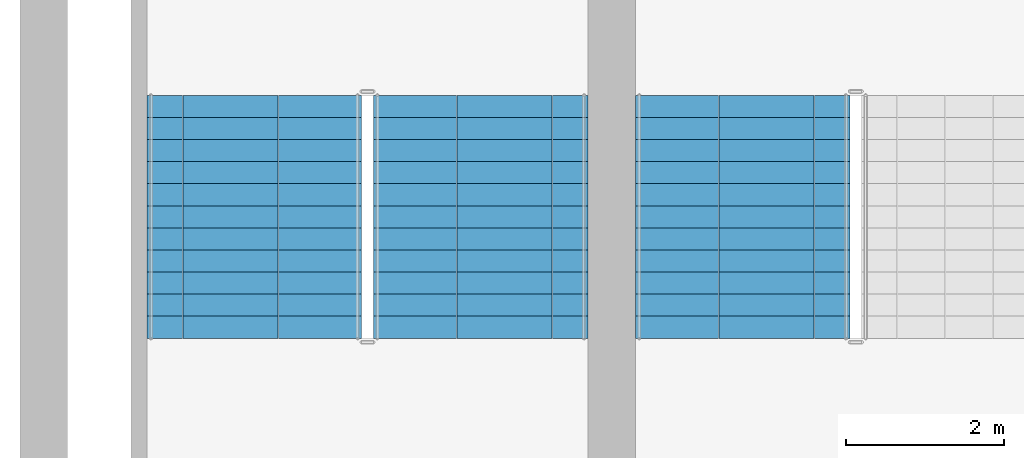
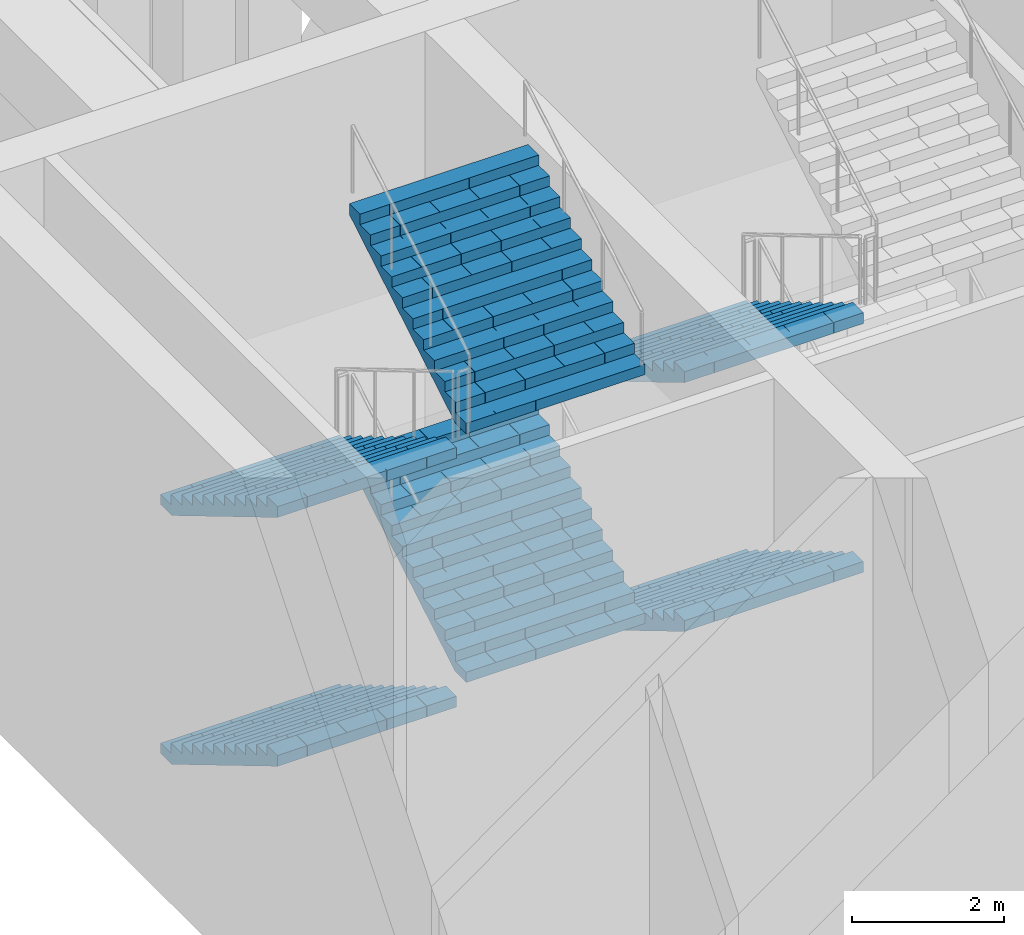
# One storey, part 12 of 20: 6 stair flights, 2 elements without a shape of their own.
"""IFC4 building model written with IfcOpenShell, lengths in metres."""

from ifc_helpers import new_model, si_unit, direction, frame, origin, place, context, subcontext, project, spatial, polyline, outline, extrude, material, type_object, element, aggregate, save


model = new_model("IFC4")

# Units and contexts
model_context = context("Model", 3, precision=1e-05, world=origin(), true_north=direction((0.0, 1.0)))
body_context = subcontext(model_context, "Body", "Model", "MODEL_VIEW")
ifc_project = project(units=[si_unit("LENGTHUNIT", "METRE"), si_unit("AREAUNIT", "SQUARE_METRE"), si_unit("VOLUMEUNIT", "CUBIC_METRE"), si_unit("PLANEANGLEUNIT", "RADIAN"), si_unit("MASSUNIT", "GRAM", prefix="KILO")], contexts=[model_context])

# Site, building, storey
site_placement = place(None, origin())
site = spatial("IfcSite", under=ifc_project, at=site_placement, CompositionType="ELEMENT")
building_placement = place(site_placement, origin())
building = spatial("IfcBuilding", under=site, at=building_placement, Name="Corbelhall Arena Tower", CompositionType="ELEMENT")
storey_placement = place(building_placement, frame((0.0, 0.0, 44.0)))
storey = spatial("IfcBuildingStorey", under=building, at=storey_placement, Name="L06", CompositionType="ELEMENT", Elevation=44.0)

# Stair, stair flights
ifc_material = material(Name="Reinforced concrete C40/50", Category="concrete")
stair_type = type_object("IfcStairType", Name="AR-EXIT-STAIR", PredefinedType="HALF_TURN_STAIR", material=ifc_material)
stair_1_placement = place(storey_placement, origin())
stair_1 = element("IfcStair", 1, at=stair_1_placement, inside=storey, type_object=stair_type, Name="L06 exit stair AS7", PredefinedType="HALF_TURN_STAIR")
stair_flight_type = type_object("IfcStairFlightType", Name="AR-EXIT-FLIGHT", PredefinedType="STRAIGHT", material=ifc_material)
stair_flight_1_placement = place(storey_placement, frame((-38.840087890625, -27.320068359375, 0.0), z_axis=(0.0, 0.0, 1.0), x_axis=(0.0, -1.0, 0.0)))
stair_flight_1 = element("IfcStairFlight", 2, at=stair_flight_1_placement, type_object=stair_flight_type, Name="AS7 flight 1", NumberOfRisers=12, NumberOfTreads=11, PredefinedType="STRAIGHT", RiserHeight=0.166666667, TreadLength=0.28, context=body_context, shape_type="SweptSolid", body=[
    extrude(outline(polyline([(0.0, 0.0), (0.0, 0.166748046875), (0.280029296875, 0.166748046875), (0.280029296875, 0.333251953125), (0.56005859375, 0.333251953125), (0.56005859375, 0.5), (0.840087890625, 0.5), (0.840087890625, 0.666748046875), (1.1201171875, 0.666748046875), (1.1201171875, 0.833251953125), (1.39990234375, 0.833251953125), (1.39990234375, 1.0), (1.679931640625, 1.0), (1.679931640625, 1.166748046875), (1.9599609375, 1.166748046875), (1.9599609375, 1.333251953125), (2.239990234375, 1.333251953125), (2.239990234375, 1.5), (2.52001953125, 1.5), (2.52001953125, 1.666748046875), (2.800048828125, 1.666748046875), (2.800048828125, 1.833251953125), (3.080078125, 1.833251953125), (3.080078125, 2.0), (3.080078125, 1.658935546875), (0.29296875, 0.0), (0.0, 0.0)])), frame((0.0, 1.35986328125, 0.0), z_axis=(0.0, -1.0, 0.0), x_axis=(1.0, 0.0, 0.0)), (0.0, 0.0, 1.0), 0.449951171875),
    extrude(outline(polyline([(0.0, 0.0), (0.0, 0.166748046875), (0.280029296875, 0.166748046875), (0.280029296875, 0.333251953125), (0.56005859375, 0.333251953125), (0.56005859375, 0.5), (0.840087890625, 0.5), (0.840087890625, 0.666748046875), (1.1201171875, 0.666748046875), (1.1201171875, 0.833251953125), (1.39990234375, 0.833251953125), (1.39990234375, 1.0), (1.679931640625, 1.0), (1.679931640625, 1.166748046875), (1.9599609375, 1.166748046875), (1.9599609375, 1.333251953125), (2.239990234375, 1.333251953125), (2.239990234375, 1.5), (2.52001953125, 1.5), (2.52001953125, 1.666748046875), (2.800048828125, 1.666748046875), (2.800048828125, 1.833251953125), (3.080078125, 1.833251953125), (3.080078125, 2.0), (3.080078125, 1.658935546875), (0.29296875, 0.0), (0.0, 0.0)])), frame((0.0, 0.906005859375, 0.0), z_axis=(0.0, -1.0, 0.0), x_axis=(1.0, 0.0, 0.0)), (0.0, 0.0, 1.0), 0.601318359375),
    extrude(outline(polyline([(0.0, 0.0), (0.0, 0.166748046875), (0.280029296875, 0.166748046875), (0.280029296875, 0.333251953125), (0.56005859375, 0.333251953125), (0.56005859375, 0.5), (0.840087890625, 0.5), (0.840087890625, 0.666748046875), (1.1201171875, 0.666748046875), (1.1201171875, 0.833251953125), (1.39990234375, 0.833251953125), (1.39990234375, 1.0), (1.679931640625, 1.0), (1.679931640625, 1.166748046875), (1.9599609375, 1.166748046875), (1.9599609375, 1.333251953125), (2.239990234375, 1.333251953125), (2.239990234375, 1.5), (2.52001953125, 1.5), (2.52001953125, 1.666748046875), (2.800048828125, 1.666748046875), (2.800048828125, 1.833251953125), (3.080078125, 1.833251953125), (3.080078125, 2.0), (3.080078125, 1.658935546875), (0.29296875, 0.0), (0.0, 0.0)])), frame((0.0, 0.30078125, 0.0), z_axis=(0.0, -1.0, 0.0), x_axis=(1.0, 0.0, 0.0)), (0.0, 0.0, 1.0), 0.601318359375),
    extrude(outline(polyline([(0.0, 0.0), (0.0, 0.166748046875), (0.280029296875, 0.166748046875), (0.280029296875, 0.333251953125), (0.56005859375, 0.333251953125), (0.56005859375, 0.5), (0.840087890625, 0.5), (0.840087890625, 0.666748046875), (1.1201171875, 0.666748046875), (1.1201171875, 0.833251953125), (1.39990234375, 0.833251953125), (1.39990234375, 1.0), (1.679931640625, 1.0), (1.679931640625, 1.166748046875), (1.9599609375, 1.166748046875), (1.9599609375, 1.333251953125), (2.239990234375, 1.333251953125), (2.239990234375, 1.5), (2.52001953125, 1.5), (2.52001953125, 1.666748046875), (2.800048828125, 1.666748046875), (2.800048828125, 1.833251953125), (3.080078125, 1.833251953125), (3.080078125, 2.0), (3.080078125, 1.658935546875), (0.29296875, 0.0), (0.0, 0.0)])), frame((0.0, -0.3046875, 0.0), z_axis=(0.0, -1.0, 0.0), x_axis=(1.0, 0.0, 0.0)), (0.0, 0.0, 1.0), 0.601318359375),
    extrude(outline(polyline([(0.0, 0.0), (0.0, 0.166748046875), (0.280029296875, 0.166748046875), (0.280029296875, 0.333251953125), (0.56005859375, 0.333251953125), (0.56005859375, 0.5), (0.840087890625, 0.5), (0.840087890625, 0.666748046875), (1.1201171875, 0.666748046875), (1.1201171875, 0.833251953125), (1.39990234375, 0.833251953125), (1.39990234375, 1.0), (1.679931640625, 1.0), (1.679931640625, 1.166748046875), (1.9599609375, 1.166748046875), (1.9599609375, 1.333251953125), (2.239990234375, 1.333251953125), (2.239990234375, 1.5), (2.52001953125, 1.5), (2.52001953125, 1.666748046875), (2.800048828125, 1.666748046875), (2.800048828125, 1.833251953125), (3.080078125, 1.833251953125), (3.080078125, 2.0), (3.080078125, 1.658935546875), (0.29296875, 0.0), (0.0, 0.0)])), frame((0.0, -0.909912109375, 0.0), z_axis=(0.0, -1.0, 0.0), x_axis=(1.0, 0.0, 0.0)), (0.0, 0.0, 1.0), 0.449951171875),
])
stair_flight_2_placement = place(storey_placement, frame((-38.840087890625, -27.320068359375, 4.0), z_axis=(0.0, 0.0, 1.0), x_axis=(0.0, -1.0, 0.0)))
stair_flight_2 = element("IfcStairFlight", 3, at=stair_flight_2_placement, type_object=stair_flight_type, Name="AS7 flight 3", NumberOfRisers=12, NumberOfTreads=11, PredefinedType="STRAIGHT", RiserHeight=0.166666667, TreadLength=0.28, context=body_context, shape_type="SweptSolid", body=[
    extrude(outline(polyline([(0.0, 0.0), (0.0, 0.166748046875), (0.280029296875, 0.166748046875), (0.280029296875, 0.333251953125), (0.56005859375, 0.333251953125), (0.56005859375, 0.5), (0.840087890625, 0.5), (0.840087890625, 0.666748046875), (1.1201171875, 0.666748046875), (1.1201171875, 0.833251953125), (1.39990234375, 0.833251953125), (1.39990234375, 1.0), (1.679931640625, 1.0), (1.679931640625, 1.166748046875), (1.9599609375, 1.166748046875), (1.9599609375, 1.333251953125), (2.239990234375, 1.333251953125), (2.239990234375, 1.5), (2.52001953125, 1.5), (2.52001953125, 1.666748046875), (2.800048828125, 1.666748046875), (2.800048828125, 1.833251953125), (3.080078125, 1.833251953125), (3.080078125, 2.0), (3.080078125, 1.658935546875), (0.29296875, 0.0), (0.0, 0.0)])), frame((0.0, 1.35986328125, 0.0), z_axis=(0.0, -1.0, 0.0), x_axis=(1.0, 0.0, 0.0)), (0.0, 0.0, 1.0), 0.449951171875),
    extrude(outline(polyline([(0.0, 0.0), (0.0, 0.166748046875), (0.280029296875, 0.166748046875), (0.280029296875, 0.333251953125), (0.56005859375, 0.333251953125), (0.56005859375, 0.5), (0.840087890625, 0.5), (0.840087890625, 0.666748046875), (1.1201171875, 0.666748046875), (1.1201171875, 0.833251953125), (1.39990234375, 0.833251953125), (1.39990234375, 1.0), (1.679931640625, 1.0), (1.679931640625, 1.166748046875), (1.9599609375, 1.166748046875), (1.9599609375, 1.333251953125), (2.239990234375, 1.333251953125), (2.239990234375, 1.5), (2.52001953125, 1.5), (2.52001953125, 1.666748046875), (2.800048828125, 1.666748046875), (2.800048828125, 1.833251953125), (3.080078125, 1.833251953125), (3.080078125, 2.0), (3.080078125, 1.658935546875), (0.29296875, 0.0), (0.0, 0.0)])), frame((0.0, 0.906005859375, 0.0), z_axis=(0.0, -1.0, 0.0), x_axis=(1.0, 0.0, 0.0)), (0.0, 0.0, 1.0), 0.601318359375),
    extrude(outline(polyline([(0.0, 0.0), (0.0, 0.166748046875), (0.280029296875, 0.166748046875), (0.280029296875, 0.333251953125), (0.56005859375, 0.333251953125), (0.56005859375, 0.5), (0.840087890625, 0.5), (0.840087890625, 0.666748046875), (1.1201171875, 0.666748046875), (1.1201171875, 0.833251953125), (1.39990234375, 0.833251953125), (1.39990234375, 1.0), (1.679931640625, 1.0), (1.679931640625, 1.166748046875), (1.9599609375, 1.166748046875), (1.9599609375, 1.333251953125), (2.239990234375, 1.333251953125), (2.239990234375, 1.5), (2.52001953125, 1.5), (2.52001953125, 1.666748046875), (2.800048828125, 1.666748046875), (2.800048828125, 1.833251953125), (3.080078125, 1.833251953125), (3.080078125, 2.0), (3.080078125, 1.658935546875), (0.29296875, 0.0), (0.0, 0.0)])), frame((0.0, 0.30078125, 0.0), z_axis=(0.0, -1.0, 0.0), x_axis=(1.0, 0.0, 0.0)), (0.0, 0.0, 1.0), 0.601318359375),
    extrude(outline(polyline([(0.0, 0.0), (0.0, 0.166748046875), (0.280029296875, 0.166748046875), (0.280029296875, 0.333251953125), (0.56005859375, 0.333251953125), (0.56005859375, 0.5), (0.840087890625, 0.5), (0.840087890625, 0.666748046875), (1.1201171875, 0.666748046875), (1.1201171875, 0.833251953125), (1.39990234375, 0.833251953125), (1.39990234375, 1.0), (1.679931640625, 1.0), (1.679931640625, 1.166748046875), (1.9599609375, 1.166748046875), (1.9599609375, 1.333251953125), (2.239990234375, 1.333251953125), (2.239990234375, 1.5), (2.52001953125, 1.5), (2.52001953125, 1.666748046875), (2.800048828125, 1.666748046875), (2.800048828125, 1.833251953125), (3.080078125, 1.833251953125), (3.080078125, 2.0), (3.080078125, 1.658935546875), (0.29296875, 0.0), (0.0, 0.0)])), frame((0.0, -0.3046875, 0.0), z_axis=(0.0, -1.0, 0.0), x_axis=(1.0, 0.0, 0.0)), (0.0, 0.0, 1.0), 0.601318359375),
    extrude(outline(polyline([(0.0, 0.0), (0.0, 0.166748046875), (0.280029296875, 0.166748046875), (0.280029296875, 0.333251953125), (0.56005859375, 0.333251953125), (0.56005859375, 0.5), (0.840087890625, 0.5), (0.840087890625, 0.666748046875), (1.1201171875, 0.666748046875), (1.1201171875, 0.833251953125), (1.39990234375, 0.833251953125), (1.39990234375, 1.0), (1.679931640625, 1.0), (1.679931640625, 1.166748046875), (1.9599609375, 1.166748046875), (1.9599609375, 1.333251953125), (2.239990234375, 1.333251953125), (2.239990234375, 1.5), (2.52001953125, 1.5), (2.52001953125, 1.666748046875), (2.800048828125, 1.666748046875), (2.800048828125, 1.833251953125), (3.080078125, 1.833251953125), (3.080078125, 2.0), (3.080078125, 1.658935546875), (0.29296875, 0.0), (0.0, 0.0)])), frame((0.0, -0.909912109375, 0.0), z_axis=(0.0, -1.0, 0.0), x_axis=(1.0, 0.0, 0.0)), (0.0, 0.0, 1.0), 0.449951171875),
])
aggregate(stair_1, [stair_flight_1, stair_flight_2])

stair_2_placement = place(storey_placement, origin())
stair_2 = element("IfcStair", 4, at=stair_2_placement, inside=storey, type_object=stair_type, Name="L06 exit stair AS8", PredefinedType="HALF_TURN_STAIR")
stair_flight_3_placement = place(storey_placement, frame((-45.030029296875, -27.320068359375, 0.0), z_axis=(0.0, 0.0, 1.0), x_axis=(0.0, -1.0, 0.0)))
stair_flight_3 = element("IfcStairFlight", 5, at=stair_flight_3_placement, type_object=stair_flight_type, Name="AS8 flight 1", NumberOfRisers=12, NumberOfTreads=11, PredefinedType="STRAIGHT", RiserHeight=0.166666667, TreadLength=0.28, context=body_context, shape_type="SweptSolid", body=[
    extrude(outline(polyline([(0.0, 0.0), (0.0, 0.166748046875), (0.280029296875, 0.166748046875), (0.280029296875, 0.333251953125), (0.56005859375, 0.333251953125), (0.56005859375, 0.5), (0.840087890625, 0.5), (0.840087890625, 0.666748046875), (1.1201171875, 0.666748046875), (1.1201171875, 0.833251953125), (1.39990234375, 0.833251953125), (1.39990234375, 1.0), (1.679931640625, 1.0), (1.679931640625, 1.166748046875), (1.9599609375, 1.166748046875), (1.9599609375, 1.333251953125), (2.239990234375, 1.333251953125), (2.239990234375, 1.5), (2.52001953125, 1.5), (2.52001953125, 1.666748046875), (2.800048828125, 1.666748046875), (2.800048828125, 1.833251953125), (3.080078125, 1.833251953125), (3.080078125, 2.0), (3.080078125, 1.658935546875), (0.29296875, 0.0), (0.0, 0.0)])), frame((0.0, 1.35986328125, 0.0), z_axis=(0.0, -1.0, 0.0), x_axis=(1.0, 0.0, 0.0)), (0.0, 0.0, 1.0), 0.449951171875),
    extrude(outline(polyline([(0.0, 0.0), (0.0, 0.166748046875), (0.280029296875, 0.166748046875), (0.280029296875, 0.333251953125), (0.56005859375, 0.333251953125), (0.56005859375, 0.5), (0.840087890625, 0.5), (0.840087890625, 0.666748046875), (1.1201171875, 0.666748046875), (1.1201171875, 0.833251953125), (1.39990234375, 0.833251953125), (1.39990234375, 1.0), (1.679931640625, 1.0), (1.679931640625, 1.166748046875), (1.9599609375, 1.166748046875), (1.9599609375, 1.333251953125), (2.239990234375, 1.333251953125), (2.239990234375, 1.5), (2.52001953125, 1.5), (2.52001953125, 1.666748046875), (2.800048828125, 1.666748046875), (2.800048828125, 1.833251953125), (3.080078125, 1.833251953125), (3.080078125, 2.0), (3.080078125, 1.658935546875), (0.29296875, 0.0), (0.0, 0.0)])), frame((0.0, 0.906005859375, 0.0), z_axis=(0.0, -1.0, 0.0), x_axis=(1.0, 0.0, 0.0)), (0.0, 0.0, 1.0), 0.601318359375),
    extrude(outline(polyline([(0.0, 0.0), (0.0, 0.166748046875), (0.280029296875, 0.166748046875), (0.280029296875, 0.333251953125), (0.56005859375, 0.333251953125), (0.56005859375, 0.5), (0.840087890625, 0.5), (0.840087890625, 0.666748046875), (1.1201171875, 0.666748046875), (1.1201171875, 0.833251953125), (1.39990234375, 0.833251953125), (1.39990234375, 1.0), (1.679931640625, 1.0), (1.679931640625, 1.166748046875), (1.9599609375, 1.166748046875), (1.9599609375, 1.333251953125), (2.239990234375, 1.333251953125), (2.239990234375, 1.5), (2.52001953125, 1.5), (2.52001953125, 1.666748046875), (2.800048828125, 1.666748046875), (2.800048828125, 1.833251953125), (3.080078125, 1.833251953125), (3.080078125, 2.0), (3.080078125, 1.658935546875), (0.29296875, 0.0), (0.0, 0.0)])), frame((0.0, 0.30078125, 0.0), z_axis=(0.0, -1.0, 0.0), x_axis=(1.0, 0.0, 0.0)), (0.0, 0.0, 1.0), 0.601318359375),
    extrude(outline(polyline([(0.0, 0.0), (0.0, 0.166748046875), (0.280029296875, 0.166748046875), (0.280029296875, 0.333251953125), (0.56005859375, 0.333251953125), (0.56005859375, 0.5), (0.840087890625, 0.5), (0.840087890625, 0.666748046875), (1.1201171875, 0.666748046875), (1.1201171875, 0.833251953125), (1.39990234375, 0.833251953125), (1.39990234375, 1.0), (1.679931640625, 1.0), (1.679931640625, 1.166748046875), (1.9599609375, 1.166748046875), (1.9599609375, 1.333251953125), (2.239990234375, 1.333251953125), (2.239990234375, 1.5), (2.52001953125, 1.5), (2.52001953125, 1.666748046875), (2.800048828125, 1.666748046875), (2.800048828125, 1.833251953125), (3.080078125, 1.833251953125), (3.080078125, 2.0), (3.080078125, 1.658935546875), (0.29296875, 0.0), (0.0, 0.0)])), frame((0.0, -0.3046875, 0.0), z_axis=(0.0, -1.0, 0.0), x_axis=(1.0, 0.0, 0.0)), (0.0, 0.0, 1.0), 0.601318359375),
    extrude(outline(polyline([(0.0, 0.0), (0.0, 0.166748046875), (0.280029296875, 0.166748046875), (0.280029296875, 0.333251953125), (0.56005859375, 0.333251953125), (0.56005859375, 0.5), (0.840087890625, 0.5), (0.840087890625, 0.666748046875), (1.1201171875, 0.666748046875), (1.1201171875, 0.833251953125), (1.39990234375, 0.833251953125), (1.39990234375, 1.0), (1.679931640625, 1.0), (1.679931640625, 1.166748046875), (1.9599609375, 1.166748046875), (1.9599609375, 1.333251953125), (2.239990234375, 1.333251953125), (2.239990234375, 1.5), (2.52001953125, 1.5), (2.52001953125, 1.666748046875), (2.800048828125, 1.666748046875), (2.800048828125, 1.833251953125), (3.080078125, 1.833251953125), (3.080078125, 2.0), (3.080078125, 1.658935546875), (0.29296875, 0.0), (0.0, 0.0)])), frame((0.0, -0.909912109375, 0.0), z_axis=(0.0, -1.0, 0.0), x_axis=(1.0, 0.0, 0.0)), (0.0, 0.0, 1.0), 0.449951171875),
])
stair_flight_4_placement = place(storey_placement, frame((-42.159912109375, -30.39990234375, 2.0), z_axis=(0.0, 0.0, 1.0), x_axis=(0.0, 1.0, 0.0)))
stair_flight_4 = element("IfcStairFlight", 6, at=stair_flight_4_placement, type_object=stair_flight_type, Name="AS8 flight 2", NumberOfRisers=12, NumberOfTreads=11, PredefinedType="STRAIGHT", RiserHeight=0.166666667, TreadLength=0.28, context=body_context, shape_type="SweptSolid", body=[
    extrude(outline(polyline([(0.0, 0.0), (0.0, 0.166748046875), (0.280029296875, 0.166748046875), (0.280029296875, 0.333251953125), (0.56005859375, 0.333251953125), (0.56005859375, 0.5), (0.840087890625, 0.5), (0.840087890625, 0.666748046875), (1.1201171875, 0.666748046875), (1.1201171875, 0.833251953125), (1.39990234375, 0.833251953125), (1.39990234375, 1.0), (1.679931640625, 1.0), (1.679931640625, 1.166748046875), (1.9599609375, 1.166748046875), (1.9599609375, 1.333251953125), (2.239990234375, 1.333251953125), (2.239990234375, 1.5), (2.52001953125, 1.5), (2.52001953125, 1.666748046875), (2.800048828125, 1.666748046875), (2.800048828125, 1.833251953125), (3.080078125, 1.833251953125), (3.080078125, 2.0), (3.080078125, 1.658935546875), (0.29296875, 0.0), (0.0, 0.0)])), frame((0.0, 1.35986328125, 0.0), z_axis=(0.0, -1.0, 0.0), x_axis=(1.0, 0.0, 0.0)), (0.0, 0.0, 1.0), 0.449951171875),
    extrude(outline(polyline([(0.0, 0.0), (0.0, 0.166748046875), (0.280029296875, 0.166748046875), (0.280029296875, 0.333251953125), (0.56005859375, 0.333251953125), (0.56005859375, 0.5), (0.840087890625, 0.5), (0.840087890625, 0.666748046875), (1.1201171875, 0.666748046875), (1.1201171875, 0.833251953125), (1.39990234375, 0.833251953125), (1.39990234375, 1.0), (1.679931640625, 1.0), (1.679931640625, 1.166748046875), (1.9599609375, 1.166748046875), (1.9599609375, 1.333251953125), (2.239990234375, 1.333251953125), (2.239990234375, 1.5), (2.52001953125, 1.5), (2.52001953125, 1.666748046875), (2.800048828125, 1.666748046875), (2.800048828125, 1.833251953125), (3.080078125, 1.833251953125), (3.080078125, 2.0), (3.080078125, 1.658935546875), (0.29296875, 0.0), (0.0, 0.0)])), frame((0.0, 0.906005859375, 0.0), z_axis=(0.0, -1.0, 0.0), x_axis=(1.0, 0.0, 0.0)), (0.0, 0.0, 1.0), 0.601318359375),
    extrude(outline(polyline([(0.0, 0.0), (0.0, 0.166748046875), (0.280029296875, 0.166748046875), (0.280029296875, 0.333251953125), (0.56005859375, 0.333251953125), (0.56005859375, 0.5), (0.840087890625, 0.5), (0.840087890625, 0.666748046875), (1.1201171875, 0.666748046875), (1.1201171875, 0.833251953125), (1.39990234375, 0.833251953125), (1.39990234375, 1.0), (1.679931640625, 1.0), (1.679931640625, 1.166748046875), (1.9599609375, 1.166748046875), (1.9599609375, 1.333251953125), (2.239990234375, 1.333251953125), (2.239990234375, 1.5), (2.52001953125, 1.5), (2.52001953125, 1.666748046875), (2.800048828125, 1.666748046875), (2.800048828125, 1.833251953125), (3.080078125, 1.833251953125), (3.080078125, 2.0), (3.080078125, 1.658935546875), (0.29296875, 0.0), (0.0, 0.0)])), frame((0.0, 0.30078125, 0.0), z_axis=(0.0, -1.0, 0.0), x_axis=(1.0, 0.0, 0.0)), (0.0, 0.0, 1.0), 0.601318359375),
    extrude(outline(polyline([(0.0, 0.0), (0.0, 0.166748046875), (0.280029296875, 0.166748046875), (0.280029296875, 0.333251953125), (0.56005859375, 0.333251953125), (0.56005859375, 0.5), (0.840087890625, 0.5), (0.840087890625, 0.666748046875), (1.1201171875, 0.666748046875), (1.1201171875, 0.833251953125), (1.39990234375, 0.833251953125), (1.39990234375, 1.0), (1.679931640625, 1.0), (1.679931640625, 1.166748046875), (1.9599609375, 1.166748046875), (1.9599609375, 1.333251953125), (2.239990234375, 1.333251953125), (2.239990234375, 1.5), (2.52001953125, 1.5), (2.52001953125, 1.666748046875), (2.800048828125, 1.666748046875), (2.800048828125, 1.833251953125), (3.080078125, 1.833251953125), (3.080078125, 2.0), (3.080078125, 1.658935546875), (0.29296875, 0.0), (0.0, 0.0)])), frame((0.0, -0.3046875, 0.0), z_axis=(0.0, -1.0, 0.0), x_axis=(1.0, 0.0, 0.0)), (0.0, 0.0, 1.0), 0.601318359375),
    extrude(outline(polyline([(0.0, 0.0), (0.0, 0.166748046875), (0.280029296875, 0.166748046875), (0.280029296875, 0.333251953125), (0.56005859375, 0.333251953125), (0.56005859375, 0.5), (0.840087890625, 0.5), (0.840087890625, 0.666748046875), (1.1201171875, 0.666748046875), (1.1201171875, 0.833251953125), (1.39990234375, 0.833251953125), (1.39990234375, 1.0), (1.679931640625, 1.0), (1.679931640625, 1.166748046875), (1.9599609375, 1.166748046875), (1.9599609375, 1.333251953125), (2.239990234375, 1.333251953125), (2.239990234375, 1.5), (2.52001953125, 1.5), (2.52001953125, 1.666748046875), (2.800048828125, 1.666748046875), (2.800048828125, 1.833251953125), (3.080078125, 1.833251953125), (3.080078125, 2.0), (3.080078125, 1.658935546875), (0.29296875, 0.0), (0.0, 0.0)])), frame((0.0, -0.909912109375, 0.0), z_axis=(0.0, -1.0, 0.0), x_axis=(1.0, 0.0, 0.0)), (0.0, 0.0, 1.0), 0.449951171875),
])
stair_flight_5_placement = place(storey_placement, frame((-45.030029296875, -27.320068359375, 4.0), z_axis=(0.0, 0.0, 1.0), x_axis=(0.0, -1.0, 0.0)))
stair_flight_5 = element("IfcStairFlight", 7, at=stair_flight_5_placement, type_object=stair_flight_type, Name="AS8 flight 3", NumberOfRisers=12, NumberOfTreads=11, PredefinedType="STRAIGHT", RiserHeight=0.166666667, TreadLength=0.28, context=body_context, shape_type="SweptSolid", body=[
    extrude(outline(polyline([(0.0, 0.0), (0.0, 0.166748046875), (0.280029296875, 0.166748046875), (0.280029296875, 0.333251953125), (0.56005859375, 0.333251953125), (0.56005859375, 0.5), (0.840087890625, 0.5), (0.840087890625, 0.666748046875), (1.1201171875, 0.666748046875), (1.1201171875, 0.833251953125), (1.39990234375, 0.833251953125), (1.39990234375, 1.0), (1.679931640625, 1.0), (1.679931640625, 1.166748046875), (1.9599609375, 1.166748046875), (1.9599609375, 1.333251953125), (2.239990234375, 1.333251953125), (2.239990234375, 1.5), (2.52001953125, 1.5), (2.52001953125, 1.666748046875), (2.800048828125, 1.666748046875), (2.800048828125, 1.833251953125), (3.080078125, 1.833251953125), (3.080078125, 2.0), (3.080078125, 1.658935546875), (0.29296875, 0.0), (0.0, 0.0)])), frame((0.0, 1.35986328125, 0.0), z_axis=(0.0, -1.0, 0.0), x_axis=(1.0, 0.0, 0.0)), (0.0, 0.0, 1.0), 0.449951171875),
    extrude(outline(polyline([(0.0, 0.0), (0.0, 0.166748046875), (0.280029296875, 0.166748046875), (0.280029296875, 0.333251953125), (0.56005859375, 0.333251953125), (0.56005859375, 0.5), (0.840087890625, 0.5), (0.840087890625, 0.666748046875), (1.1201171875, 0.666748046875), (1.1201171875, 0.833251953125), (1.39990234375, 0.833251953125), (1.39990234375, 1.0), (1.679931640625, 1.0), (1.679931640625, 1.166748046875), (1.9599609375, 1.166748046875), (1.9599609375, 1.333251953125), (2.239990234375, 1.333251953125), (2.239990234375, 1.5), (2.52001953125, 1.5), (2.52001953125, 1.666748046875), (2.800048828125, 1.666748046875), (2.800048828125, 1.833251953125), (3.080078125, 1.833251953125), (3.080078125, 2.0), (3.080078125, 1.658935546875), (0.29296875, 0.0), (0.0, 0.0)])), frame((0.0, 0.906005859375, 0.0), z_axis=(0.0, -1.0, 0.0), x_axis=(1.0, 0.0, 0.0)), (0.0, 0.0, 1.0), 0.601318359375),
    extrude(outline(polyline([(0.0, 0.0), (0.0, 0.166748046875), (0.280029296875, 0.166748046875), (0.280029296875, 0.333251953125), (0.56005859375, 0.333251953125), (0.56005859375, 0.5), (0.840087890625, 0.5), (0.840087890625, 0.666748046875), (1.1201171875, 0.666748046875), (1.1201171875, 0.833251953125), (1.39990234375, 0.833251953125), (1.39990234375, 1.0), (1.679931640625, 1.0), (1.679931640625, 1.166748046875), (1.9599609375, 1.166748046875), (1.9599609375, 1.333251953125), (2.239990234375, 1.333251953125), (2.239990234375, 1.5), (2.52001953125, 1.5), (2.52001953125, 1.666748046875), (2.800048828125, 1.666748046875), (2.800048828125, 1.833251953125), (3.080078125, 1.833251953125), (3.080078125, 2.0), (3.080078125, 1.658935546875), (0.29296875, 0.0), (0.0, 0.0)])), frame((0.0, 0.30078125, 0.0), z_axis=(0.0, -1.0, 0.0), x_axis=(1.0, 0.0, 0.0)), (0.0, 0.0, 1.0), 0.601318359375),
    extrude(outline(polyline([(0.0, 0.0), (0.0, 0.166748046875), (0.280029296875, 0.166748046875), (0.280029296875, 0.333251953125), (0.56005859375, 0.333251953125), (0.56005859375, 0.5), (0.840087890625, 0.5), (0.840087890625, 0.666748046875), (1.1201171875, 0.666748046875), (1.1201171875, 0.833251953125), (1.39990234375, 0.833251953125), (1.39990234375, 1.0), (1.679931640625, 1.0), (1.679931640625, 1.166748046875), (1.9599609375, 1.166748046875), (1.9599609375, 1.333251953125), (2.239990234375, 1.333251953125), (2.239990234375, 1.5), (2.52001953125, 1.5), (2.52001953125, 1.666748046875), (2.800048828125, 1.666748046875), (2.800048828125, 1.833251953125), (3.080078125, 1.833251953125), (3.080078125, 2.0), (3.080078125, 1.658935546875), (0.29296875, 0.0), (0.0, 0.0)])), frame((0.0, -0.3046875, 0.0), z_axis=(0.0, -1.0, 0.0), x_axis=(1.0, 0.0, 0.0)), (0.0, 0.0, 1.0), 0.601318359375),
    extrude(outline(polyline([(0.0, 0.0), (0.0, 0.166748046875), (0.280029296875, 0.166748046875), (0.280029296875, 0.333251953125), (0.56005859375, 0.333251953125), (0.56005859375, 0.5), (0.840087890625, 0.5), (0.840087890625, 0.666748046875), (1.1201171875, 0.666748046875), (1.1201171875, 0.833251953125), (1.39990234375, 0.833251953125), (1.39990234375, 1.0), (1.679931640625, 1.0), (1.679931640625, 1.166748046875), (1.9599609375, 1.166748046875), (1.9599609375, 1.333251953125), (2.239990234375, 1.333251953125), (2.239990234375, 1.5), (2.52001953125, 1.5), (2.52001953125, 1.666748046875), (2.800048828125, 1.666748046875), (2.800048828125, 1.833251953125), (3.080078125, 1.833251953125), (3.080078125, 2.0), (3.080078125, 1.658935546875), (0.29296875, 0.0), (0.0, 0.0)])), frame((0.0, -0.909912109375, 0.0), z_axis=(0.0, -1.0, 0.0), x_axis=(1.0, 0.0, 0.0)), (0.0, 0.0, 1.0), 0.449951171875),
])
stair_flight_6_placement = place(storey_placement, frame((-42.159912109375, -30.39990234375, 6.0), z_axis=(0.0, 0.0, 1.0), x_axis=(0.0, 1.0, 0.0)))
stair_flight_6 = element("IfcStairFlight", 8, at=stair_flight_6_placement, type_object=stair_flight_type, Name="AS8 flight 4", NumberOfRisers=12, NumberOfTreads=11, PredefinedType="STRAIGHT", RiserHeight=0.166666667, TreadLength=0.28, context=body_context, shape_type="SweptSolid", body=[
    extrude(outline(polyline([(0.0, 0.0), (0.0, 0.166748046875), (0.280029296875, 0.166748046875), (0.280029296875, 0.333251953125), (0.56005859375, 0.333251953125), (0.56005859375, 0.5), (0.840087890625, 0.5), (0.840087890625, 0.666748046875), (1.1201171875, 0.666748046875), (1.1201171875, 0.833251953125), (1.39990234375, 0.833251953125), (1.39990234375, 1.0), (1.679931640625, 1.0), (1.679931640625, 1.166748046875), (1.9599609375, 1.166748046875), (1.9599609375, 1.333251953125), (2.239990234375, 1.333251953125), (2.239990234375, 1.5), (2.52001953125, 1.5), (2.52001953125, 1.666748046875), (2.800048828125, 1.666748046875), (2.800048828125, 1.833251953125), (3.080078125, 1.833251953125), (3.080078125, 2.0), (3.080078125, 1.658935546875), (0.29296875, 0.0), (0.0, 0.0)])), frame((0.0, 1.35986328125, 0.0), z_axis=(0.0, -1.0, 0.0), x_axis=(1.0, 0.0, 0.0)), (0.0, 0.0, 1.0), 0.449951171875),
    extrude(outline(polyline([(0.0, 0.0), (0.0, 0.166748046875), (0.280029296875, 0.166748046875), (0.280029296875, 0.333251953125), (0.56005859375, 0.333251953125), (0.56005859375, 0.5), (0.840087890625, 0.5), (0.840087890625, 0.666748046875), (1.1201171875, 0.666748046875), (1.1201171875, 0.833251953125), (1.39990234375, 0.833251953125), (1.39990234375, 1.0), (1.679931640625, 1.0), (1.679931640625, 1.166748046875), (1.9599609375, 1.166748046875), (1.9599609375, 1.333251953125), (2.239990234375, 1.333251953125), (2.239990234375, 1.5), (2.52001953125, 1.5), (2.52001953125, 1.666748046875), (2.800048828125, 1.666748046875), (2.800048828125, 1.833251953125), (3.080078125, 1.833251953125), (3.080078125, 2.0), (3.080078125, 1.658935546875), (0.29296875, 0.0), (0.0, 0.0)])), frame((0.0, 0.906005859375, 0.0), z_axis=(0.0, -1.0, 0.0), x_axis=(1.0, 0.0, 0.0)), (0.0, 0.0, 1.0), 0.601318359375),
    extrude(outline(polyline([(0.0, 0.0), (0.0, 0.166748046875), (0.280029296875, 0.166748046875), (0.280029296875, 0.333251953125), (0.56005859375, 0.333251953125), (0.56005859375, 0.5), (0.840087890625, 0.5), (0.840087890625, 0.666748046875), (1.1201171875, 0.666748046875), (1.1201171875, 0.833251953125), (1.39990234375, 0.833251953125), (1.39990234375, 1.0), (1.679931640625, 1.0), (1.679931640625, 1.166748046875), (1.9599609375, 1.166748046875), (1.9599609375, 1.333251953125), (2.239990234375, 1.333251953125), (2.239990234375, 1.5), (2.52001953125, 1.5), (2.52001953125, 1.666748046875), (2.800048828125, 1.666748046875), (2.800048828125, 1.833251953125), (3.080078125, 1.833251953125), (3.080078125, 2.0), (3.080078125, 1.658935546875), (0.29296875, 0.0), (0.0, 0.0)])), frame((0.0, 0.30078125, 0.0), z_axis=(0.0, -1.0, 0.0), x_axis=(1.0, 0.0, 0.0)), (0.0, 0.0, 1.0), 0.601318359375),
    extrude(outline(polyline([(0.0, 0.0), (0.0, 0.166748046875), (0.280029296875, 0.166748046875), (0.280029296875, 0.333251953125), (0.56005859375, 0.333251953125), (0.56005859375, 0.5), (0.840087890625, 0.5), (0.840087890625, 0.666748046875), (1.1201171875, 0.666748046875), (1.1201171875, 0.833251953125), (1.39990234375, 0.833251953125), (1.39990234375, 1.0), (1.679931640625, 1.0), (1.679931640625, 1.166748046875), (1.9599609375, 1.166748046875), (1.9599609375, 1.333251953125), (2.239990234375, 1.333251953125), (2.239990234375, 1.5), (2.52001953125, 1.5), (2.52001953125, 1.666748046875), (2.800048828125, 1.666748046875), (2.800048828125, 1.833251953125), (3.080078125, 1.833251953125), (3.080078125, 2.0), (3.080078125, 1.658935546875), (0.29296875, 0.0), (0.0, 0.0)])), frame((0.0, -0.3046875, 0.0), z_axis=(0.0, -1.0, 0.0), x_axis=(1.0, 0.0, 0.0)), (0.0, 0.0, 1.0), 0.601318359375),
    extrude(outline(polyline([(0.0, 0.0), (0.0, 0.166748046875), (0.280029296875, 0.166748046875), (0.280029296875, 0.333251953125), (0.56005859375, 0.333251953125), (0.56005859375, 0.5), (0.840087890625, 0.5), (0.840087890625, 0.666748046875), (1.1201171875, 0.666748046875), (1.1201171875, 0.833251953125), (1.39990234375, 0.833251953125), (1.39990234375, 1.0), (1.679931640625, 1.0), (1.679931640625, 1.166748046875), (1.9599609375, 1.166748046875), (1.9599609375, 1.333251953125), (2.239990234375, 1.333251953125), (2.239990234375, 1.5), (2.52001953125, 1.5), (2.52001953125, 1.666748046875), (2.800048828125, 1.666748046875), (2.800048828125, 1.833251953125), (3.080078125, 1.833251953125), (3.080078125, 2.0), (3.080078125, 1.658935546875), (0.29296875, 0.0), (0.0, 0.0)])), frame((0.0, -0.909912109375, 0.0), z_axis=(0.0, -1.0, 0.0), x_axis=(1.0, 0.0, 0.0)), (0.0, 0.0, 1.0), 0.449951171875),
])
aggregate(stair_2, [stair_flight_3, stair_flight_4, stair_flight_5, stair_flight_6])

save(model, "model.ifc")
